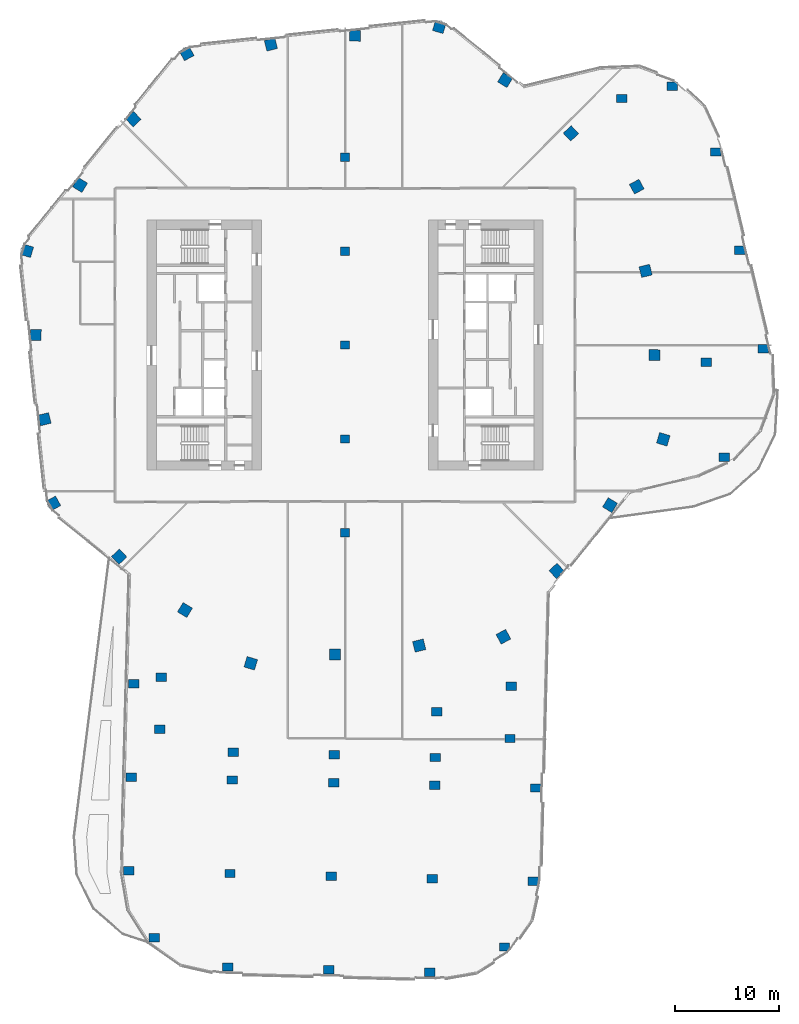
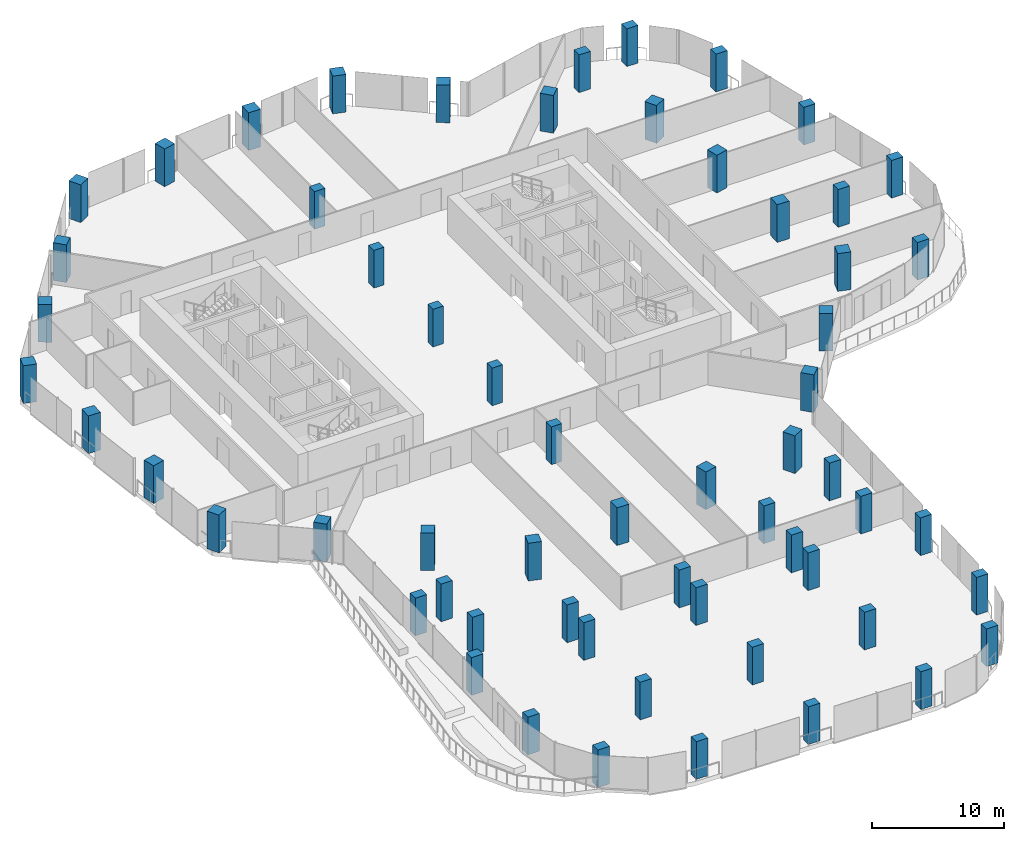
# One storey, part 1 of 24: 60 columns.
"""IFC4 building model written with IfcOpenShell, lengths in metres."""

from ifc_helpers import new_model, si_unit, direction, frame, origin, origin_2d, place, context, subcontext, project, spatial, rectangle, extrude, material, material_profile, profile_set, type_object, element, save


model = new_model("IFC4")

# Units and contexts
model_context = context("Model", 3, precision=1e-05, world=origin(), true_north=direction((0.0, 1.0)))
body_context = subcontext(model_context, "Body", "Model", "MODEL_VIEW")
ifc_project = project(units=[si_unit("LENGTHUNIT", "METRE"), si_unit("AREAUNIT", "SQUARE_METRE"), si_unit("VOLUMEUNIT", "CUBIC_METRE"), si_unit("PLANEANGLEUNIT", "RADIAN"), si_unit("MASSUNIT", "GRAM", prefix="KILO")], contexts=[model_context])

# Site, building, storey
site_placement = place(None, origin())
site = spatial("IfcSite", under=ifc_project, at=site_placement, CompositionType="ELEMENT")
building_placement = place(site_placement, origin())
building = spatial("IfcBuilding", under=site, at=building_placement, Name="Orlundy Tower", CompositionType="ELEMENT")
storey_placement = place(building_placement, frame((0.0, 0.0, 210.5)))
storey = spatial("IfcBuildingStorey", under=building, at=storey_placement, Name="L55", CompositionType="ELEMENT", Elevation=210.5)

# Columns
ifc_material_1 = material(Name="Concrete C60/75", Category="concrete")
ifc_material_profile_1 = material_profile(ifc_material_1, rectangle(XDim=1.0, YDim=0.800048828125, at=origin_2d()), Name="RC1000X800")
ifc_profile_set_1 = profile_set([ifc_material_profile_1], Name="Concrete C60/75")
column_type_1 = type_object("IfcColumnType", Name="RC COLUMN RC1000X800 C60/75", PredefinedType="COLUMN", material=ifc_profile_set_1)
for number, where, z_axis, x_axis, name in (
    (1, (36.35498046875, -10.743896484375, 0.0), (0.0, 0.0, 1.0), (1.0, 0.0, 0.0), "Column C-A1-1 L55"),
    (2, (40.090087890625, -0.35107421875, 0.0), (0.0, 0.0, 1.0), (1.0, 0.0, 0.0), "Column C-A2-5 L55"),
    (3, (34.64404296875, -1.657958984375, 0.0), (0.0, 0.0, 1.0), (1.0, 0.0, 0.0), "Column C-A2-6 L55"),
    (4, (37.824951171875, 9.0810546875, 0.0), (0.0, 0.0, 1.0), (1.0, 0.0, 0.0), "Column C-A3-5 L55"),
    (5, (35.56103515625, 18.512939453125, 0.0), (0.0, 0.0, 1.0), (1.0, 0.0, 0.0), "Column C-A4-5 L55"),
    (6, (31.3701171875, 24.802001953125, 0.0), (0.0, 0.0, 1.0), (1.0, 0.0, 0.0), "Column C-A5-5 L55"),
    (7, (26.508056640625, 23.635009765625, 0.0), (0.0, 0.0, 1.0), (1.0, 0.0, 0.0), "Column C-A5-6 L55"),
    (8, (-20.257080078125, -32.48095703125, 0.0), (0.0, 0.0, 1.0), (1.0, 0.0, 0.0), "Column C-B1-1 L55"),
    (9, (-20.491943359375, -41.444091796875, 0.0), (0.0, 0.0, 1.0), (1.0, 0.0, 0.0), "Column C-B1-2 L55"),
    (10, (-20.72705078125, -50.407958984375, 0.0), (0.0, 0.0, 1.0), (1.0, 0.0, 0.0), "Column C-B1-3 L55"),
    (11, (-18.287109375, -56.833984375, 0.0), (0.0, 0.0, 1.0), (1.0, 0.0, 0.0), "Column C-B1-5 L55"),
    (12, (-17.763916015625, -36.841064453125, 0.0), (0.0, 0.0, 1.0), (1.0, 0.0, 0.0), "Column C-B1-6 L55"),
    (13, (-17.633056640625, -31.843017578125, 0.0), (0.0, 0.0, 1.0), (1.0, 0.0, 0.0), "Column C-B1-7 L55"),
    (14, (-10.794921875, -41.697998046875, 0.0), (0.0, 0.0, 1.0), (1.0, 0.0, 0.0), "Column C-B2-2 L55"),
    (15, (-11.030029296875, -50.662109375, 0.0), (0.0, 0.0, 1.0), (1.0, 0.0, 0.0), "Column C-B2-3 L55"),
    (16, (-11.264892578125, -59.6259765625, 0.0), (0.0, 0.0, 1.0), (1.0, 0.0, 0.0), "Column C-B2-5 L55"),
    (17, (-10.72509765625, -39.032958984375, 0.0), (0.0, 0.0, 1.0), (1.0, 0.0, 0.0), "Column C-B2-6 L55"),
    (18, (-1.09912109375, -41.951904296875, 0.0), (0.0, 0.0, 1.0), (1.0, 0.0, 0.0), "Column C-B3-2 L55"),
    (19, (-1.3330078125, -50.916015625, 0.0), (0.0, 0.0, 1.0), (1.0, 0.0, 0.0), "Column C-B3-3 L55"),
    (20, (-1.568115234375, -59.87890625, 0.0), (0.0, 0.0, 1.0), (1.0, 0.0, 0.0), "Column C-B3-5 L55"),
    (21, (-1.029052734375, -39.287109375, 0.0), (0.0, 0.0, 1.0), (1.0, 0.0, 0.0), "Column C-B3-6 L55"),
    (22, (8.597900390625, -42.2060546875, 0.0), (0.0, 0.0, 1.0), (1.0, 0.0, 0.0), "Column C-B4-2 L55"),
    (23, (8.363037109375, -51.169921875, 0.0), (0.0, 0.0, 1.0), (1.0, 0.0, 0.0), "Column C-B4-3 L55"),
    (24, (8.12890625, -60.133056640625, 0.0), (0.0, 0.0, 1.0), (1.0, 0.0, 0.0), "Column C-B4-5 L55"),
    (25, (8.66796875, -39.5400390625, 0.0), (0.0, 0.0, 1.0), (1.0, 0.0, 0.0), "Column C-B4-6 L55"),
    (26, (8.782958984375, -35.14208984375, 0.0), (0.0, 0.0, 1.0), (1.0, 0.0, 0.0), "Column C-B4-7 L55"),
    (27, (18.294921875, -42.4599609375, 0.0), (0.0, 0.0, 1.0), (1.0, 0.0, 0.0), "Column C-B5-2 L55"),
    (28, (18.06005859375, -51.424072265625, 0.0), (0.0, 0.0, 1.0), (1.0, 0.0, 0.0), "Column C-B5-3 L55"),
    (29, (15.2880859375, -57.712890625, 0.0), (0.0, 0.0, 1.0), (1.0, 0.0, 0.0), "Column C-B5-5 L55"),
    (30, (15.81103515625, -37.719970703125, 0.0), (0.0, 0.0, 1.0), (1.0, 0.0, 0.0), "Column C-B5-6 L55"),
    (31, (15.94189453125, -32.721923828125, 0.0), (0.0, 0.0, 1.0), (1.0, 0.0, 0.0), "Column C-B5-7 L55"),
):
    element("IfcColumn", number, at=place(storey_placement, frame(where, z_axis=z_axis, x_axis=x_axis)), inside=storey, type_object=column_type_1, Name=name, PredefinedType="COLUMN", context=body_context, shape_type="SweptSolid", body=[
        extrude(rectangle(XDim=1.0, YDim=0.800048828125, at=origin_2d()), origin(), (0.0, 0.0, 1.0), 3.5),
    ])
ifc_material_2 = material(Name="Concrete C60/75", Category="concrete")
ifc_material_profile_2 = material_profile(ifc_material_2, rectangle(XDim=1.050048828125, YDim=1.050048828125, at=origin_2d()), Name="RC1050X1050")
ifc_profile_set_2 = profile_set([ifc_material_profile_2], Name="Concrete C60/75")
column_type_2 = type_object("IfcColumnType", Name="RC COLUMN RC1050X1050 C60/75", PredefinedType="COLUMN", material=ifc_profile_set_2)
for number, where, z_axis, x_axis, name in (
    (32, (9.0380859375, 30.511962890625, 0.0), (0.0, 0.0, 1.0), (0.284015344704, 0.958819734868, 0.0), "Column C-H01 L55"),
    (33, (15.346923828125, 25.403076171875, 0.0), (0.0, 0.0, 1.0), (0.517101113058, 0.855924318427, 0.0), "Column C-H02 L55"),
    (34, (21.656982421875, 20.29296875, 0.0), (0.0, 0.0, 1.0), (0.729708951739, 0.683757885331, 0.0), "Column C-H03 L55"),
    (35, (27.966064453125, 15.18408203125, 0.0), (0.0, 0.0, 1.0), (0.878817112662, 0.47715876026, 0.0), "Column C-H04 L55"),
    (36, (28.81494140625, 7.110107421875, 0.0), (0.0, 0.0, 1.0), (0.970879774729, 0.239567241127, 0.0), "Column C-H05 L55"),
    (37, (29.6630859375, -0.964111328125, 0.0), (0.0, 0.0, 1.0), (0.99947255242, -0.032474866578, 0.0), "Column C-H06 L55"),
    (38, (30.511962890625, -9.0380859375, 0.0), (0.0, 0.0, 1.0), (0.958819734868, -0.284015344704, 0.0), "Column C-H07 L55"),
    (39, (25.403076171875, -15.346923828125, 0.0), (0.0, 0.0, 1.0), (0.855924318427, -0.517101113058, 0.0), "Column C-H08 L55"),
    (40, (20.29296875, -21.656982421875, 0.0), (0.0, 0.0, 1.0), (0.683757885331, -0.729708951739, 0.0), "Column C-H09 L55"),
    (41, (15.18408203125, -27.966064453125, 0.0), (0.0, 0.0, 1.0), (0.47715876026, -0.878817112662, 0.0), "Column C-H10 L55"),
    (42, (7.110107421875, -28.81494140625, 0.0), (0.0, 0.0, 1.0), (0.239567241127, -0.970879774729, 0.0), "Column C-H11 L55"),
    (43, (-0.964111328125, -29.6630859375, 0.0), (0.0, 0.0, 1.0), (-0.032474866578, -0.99947255242, 0.0), "Column C-H12 L55"),
    (44, (-9.0380859375, -30.511962890625, 0.0), (0.0, 0.0, 1.0), (-0.284015344704, -0.958819734868, 0.0), "Column C-H13 L55"),
    (45, (-15.346923828125, -25.403076171875, 0.0), (0.0, 0.0, 1.0), (-0.517101113058, -0.855924318427, 0.0), "Column C-H14 L55"),
    (46, (-21.656982421875, -20.29296875, 0.0), (0.0, 0.0, 1.0), (-0.729708951739, -0.683757885331, 0.0), "Column C-H15 L55"),
    (47, (-27.966064453125, -15.18408203125, 0.0), (0.0, 0.0, 1.0), (-0.878817112662, -0.47715876026, 0.0), "Column C-H16 L55"),
    (48, (-28.81494140625, -7.110107421875, 0.0), (0.0, 0.0, 1.0), (-0.970879774729, -0.239567241127, 0.0), "Column C-H17 L55"),
    (49, (-29.6630859375, 0.964111328125, 0.0), (0.0, 0.0, 1.0), (-0.99947255242, 0.032474866578, 0.0), "Column C-H18 L55"),
    (50, (-30.511962890625, 9.0380859375, 0.0), (0.0, 0.0, 1.0), (-0.958819734868, 0.284015344704, 0.0), "Column C-H19 L55"),
    (51, (-25.403076171875, 15.346923828125, 0.0), (0.0, 0.0, 1.0), (-0.855924318427, 0.517101113058, 0.0), "Column C-H20 L55"),
    (52, (-20.29296875, 21.656982421875, 0.0), (0.0, 0.0, 1.0), (-0.683757885331, 0.729708951739, 0.0), "Column C-H21 L55"),
    (53, (-15.18408203125, 27.966064453125, 0.0), (0.0, 0.0, 1.0), (-0.47715876026, 0.878817112662, 0.0), "Column C-H22 L55"),
    (54, (-7.110107421875, 28.81494140625, 0.0), (0.0, 0.0, 1.0), (-0.239567241127, 0.970879774729, 0.0), "Column C-H23 L55"),
    (55, (0.964111328125, 29.6630859375, 0.0), (0.0, 0.0, 1.0), (0.032474866578, 0.99947255242, 0.0), "Column C-H24 L55"),
):
    element("IfcColumn", number, at=place(storey_placement, frame(where, z_axis=z_axis, x_axis=x_axis)), inside=storey, type_object=column_type_2, Name=name, PredefinedType="COLUMN", context=body_context, shape_type="SweptSolid", body=[
        extrude(rectangle(XDim=1.050048828125, YDim=1.050048828125, at=origin_2d()), origin(), (0.0, 0.0, 1.0), 3.5),
    ])
ifc_material_3 = material(Name="Concrete C60/75", Category="concrete")
ifc_material_profile_3 = material_profile(ifc_material_3, rectangle(XDim=0.89990234375, YDim=0.800048828125, at=origin_2d()), Name="RC900X800")
ifc_profile_set_3 = profile_set([ifc_material_profile_3], Name="Concrete C60/75")
column_type_3 = type_object("IfcColumnType", Name="RC COLUMN RC900X800 C60/75", PredefinedType="COLUMN", material=ifc_profile_set_3)
for number, where, z_axis, x_axis, name in (
    (56, (0.0, -18.0, 0.0), (0.0, 0.0, 1.0), (1.0, 0.0, 0.0), "Column C-M1 L55"),
    (57, (0.0, -9.0, 0.0), (0.0, 0.0, 1.0), (1.0, 0.0, 0.0), "Column C-M2 L55"),
    (58, (0.0, 0.0, 0.0), (0.0, 0.0, 1.0), (1.0, 0.0, 0.0), "Column C-M3 L55"),
    (59, (0.0, 9.0, 0.0), (0.0, 0.0, 1.0), (1.0, 0.0, 0.0), "Column C-M4 L55"),
    (60, (0.0, 18.0, 0.0), (0.0, 0.0, 1.0), (1.0, 0.0, 0.0), "Column C-M5 L55"),
):
    element("IfcColumn", number, at=place(storey_placement, frame(where, z_axis=z_axis, x_axis=x_axis)), inside=storey, type_object=column_type_3, Name=name, PredefinedType="COLUMN", context=body_context, shape_type="SweptSolid", body=[
        extrude(rectangle(XDim=0.89990234375, YDim=0.800048828125, at=origin_2d()), origin(), (0.0, 0.0, 1.0), 3.5),
    ])

save(model, "model.ifc")
